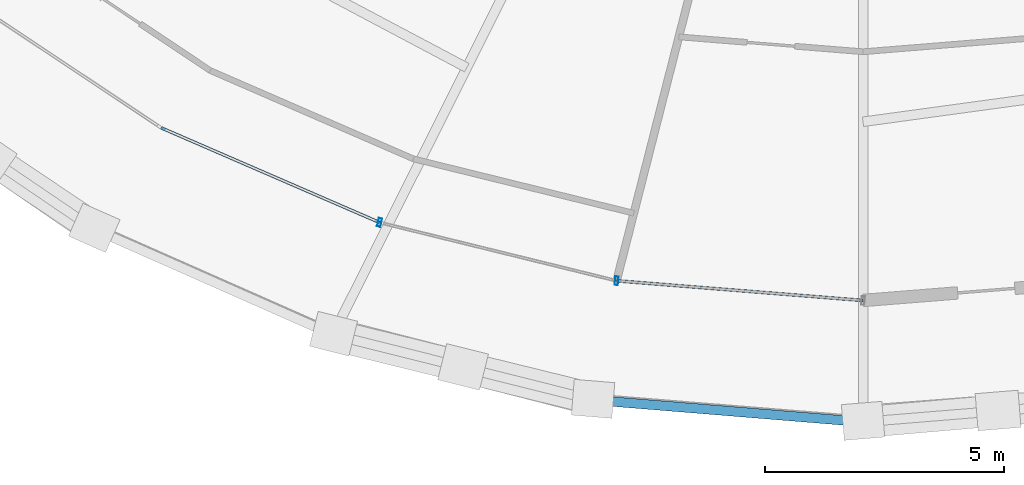
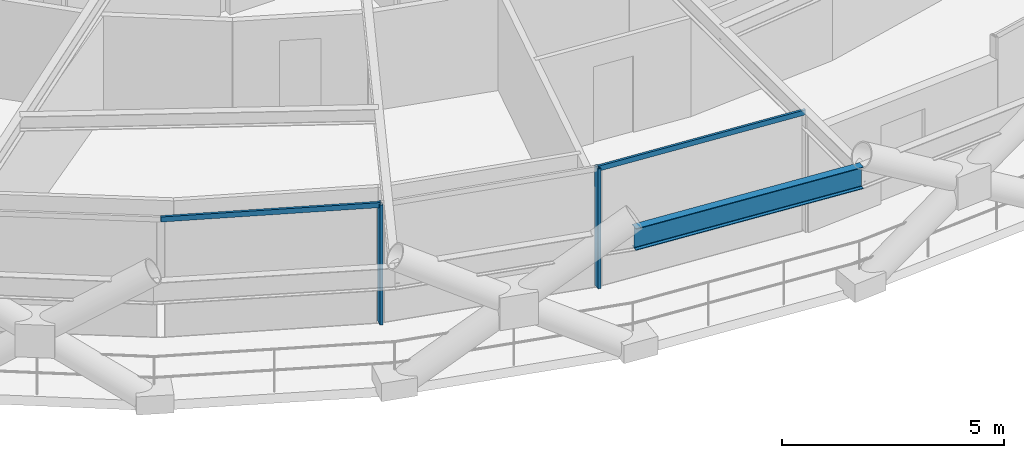
# One storey, part 4 of 21: 4 members, 1 beam, 1 element without a shape of its own.
"""IFC4 building model written with IfcOpenShell, lengths in metres."""

from ifc_helpers import new_model, si_unit, direction, frame, origin, origin_2d, place, context, subcontext, project, spatial, hollow_rectangle, i_section, extrude, material, layer, layer_set, material_profile, profile_set, type_object, element, aggregate, save


model = new_model("IFC4")

# Units and contexts
model_context = context("Model", 3, precision=1e-05, world=origin(), true_north=direction((0.0, 1.0)))
body_context = subcontext(model_context, "Body", "Model", "MODEL_VIEW")
ifc_project = project(units=[si_unit("LENGTHUNIT", "METRE"), si_unit("AREAUNIT", "SQUARE_METRE"), si_unit("VOLUMEUNIT", "CUBIC_METRE"), si_unit("PLANEANGLEUNIT", "RADIAN"), si_unit("MASSUNIT", "GRAM", prefix="KILO")], contexts=[model_context])

# Site, building, storey
site_placement = place(None, origin())
site = spatial("IfcSite", under=ifc_project, at=site_placement, CompositionType="ELEMENT")
building_placement = place(site_placement, origin())
building = spatial("IfcBuilding", under=site, at=building_placement, Name="Veldorina Hangang Commons", CompositionType="ELEMENT")
storey_placement = place(building_placement, frame((0.0, 0.0, 73.60009765625)))
storey = spatial("IfcBuildingStorey", under=building, at=storey_placement, Name="L18", CompositionType="ELEMENT", Elevation=73.60009765625)

# Beam
ifc_material_1 = material(Name="Steel SM420-TMC", Category="steel")
ifc_material_profile_1 = material_profile(ifc_material_1, i_section(OverallWidth=0.199951171875, OverallDepth=0.60009765625, WebThickness=0.010986328125, FlangeThickness=0.01708984375, FilletRadius=0.01806640625, at=origin_2d()), Name="H-600x200x11x17")
ifc_profile_set_1 = profile_set([ifc_material_profile_1], Name="Steel SM420-TMC")
beam_type = type_object("IfcBeamType", Name="BM-RB600", PredefinedType="BEAM", material=ifc_profile_set_1)
beam_placement = place(storey_placement, frame((26.34521484375, 0.474609375, 3.039794921875), z_axis=(0.996697777509, -0.081200617657, 0.0), x_axis=(0.081200617657, 0.996697777509, 0.0)))
element("IfcBeam", 1, at=beam_placement, inside=storey, type_object=beam_type, Name="L18 perimeter hoop ring beam 23", PredefinedType="BEAM", context=body_context, shape_type="SweptSolid", body=[
    extrude(i_section(OverallWidth=0.199951171875, OverallDepth=0.60009765625, WebThickness=0.010986328125, FlangeThickness=0.01708984375, FilletRadius=0.01806640625, at=origin_2d()), origin(), (0.0, 0.0, 1.0), 5.673583984375),
])

# Curtain wall, members
ifc_material_2 = material(Name="Glass Low-E Triple IGU", Category="glass")
ifc_layer = layer(ifc_material_2, 0.179931640625)
ifc_layer_set = layer_set([ifc_layer], Name="Glass Low-E Triple IGU")
curtain_wall_type = type_object("IfcCurtainWallType", Name="CW-SYS-Z1", PredefinedType="NOTDEFINED", material=ifc_layer_set)
curtain_wall_placement = place(storey_placement, origin())
curtain_wall = element("IfcCurtainWall", 2, at=curtain_wall_placement, inside=storey, type_object=curtain_wall_type, Name="L18 unitised curtain wall CW-L18-R1", PredefinedType="NOTDEFINED")
ifc_material_3 = material(Name="Aluminium Anodized AA6063-T6", Category="aluminium")
ifc_material_profile_2 = material_profile(ifc_material_3, hollow_rectangle(XDim=0.070068359375, YDim=0.179931640625, WallThickness=0.00390625, at=origin_2d()), Name="ALU-RHS-180x70x4")
ifc_profile_set_2 = profile_set([ifc_material_profile_2], Name="Aluminium Anodized AA6063-T6")
member_type_1 = type_object("IfcMemberType", Name="CW-MUL-180", PredefinedType="MULLION", material=ifc_profile_set_2)
member_1_placement = place(storey_placement, frame((21.880859375, 4.189697265625, 0.0), z_axis=(0.0, 0.0, 1.0), x_axis=(0.971050956862, -0.238872432853, 0.0)))
member_1 = element("IfcMember", 3, at=member_1_placement, type_object=member_type_1, Name="CW-L18-R1 vertical mullion 2", PredefinedType="MULLION", context=body_context, shape_type="SweptSolid", body=[
    extrude(hollow_rectangle(XDim=0.070068359375, YDim=0.179931640625, WallThickness=0.00390625, at=origin_2d()), origin(), (0.0, 0.0, 1.0), 3.2998046875),
])
member_2_placement = place(storey_placement, frame((26.84130859375, 2.969482421875, 0.0), z_axis=(0.0, 0.0, 1.0), x_axis=(0.996826293951, -0.079607409749, 0.0)))
member_2 = element("IfcMember", 4, at=member_2_placement, type_object=member_type_1, Name="CW-L18-R1 vertical mullion 3", PredefinedType="MULLION", context=body_context, shape_type="SweptSolid", body=[
    extrude(hollow_rectangle(XDim=0.070068359375, YDim=0.179931640625, WallThickness=0.00390625, at=origin_2d()), origin(), (0.0, 0.0, 1.0), 3.2998046875),
])
ifc_material_profile_3 = material_profile(ifc_material_3, hollow_rectangle(XDim=0.06005859375, YDim=0.139892578125, WallThickness=0.00341796875, at=origin_2d()), Name="ALU-RHS-140x60x3.5")
ifc_profile_set_3 = profile_set([ifc_material_profile_3], Name="Aluminium Anodized AA6063-T6")
member_type_2 = type_object("IfcMemberType", Name="CW-TRN-140", PredefinedType="USERDEFINED", material=ifc_profile_set_3)
member_3_placement = place(storey_placement, frame((17.309326171875, 6.17138671875, 3.260009765625), z_axis=(0.917504968831, -0.397724316796, 0.0), x_axis=(0.397724316796, 0.917504968831, 0.0)))
member_3 = element("IfcMember", 5, at=member_3_placement, type_object=member_type_2, Name="CW-L18-R1 facet 2 transom 1", ObjectType="TRANSOM", PredefinedType="USERDEFINED", context=body_context, shape_type="SweptSolid", body=[
    extrude(hollow_rectangle(XDim=0.06005859375, YDim=0.139892578125, WallThickness=0.00341796875, at=origin_2d()), origin(), (0.0, 0.0, 1.0), 4.982666015625),
])
member_4_placement = place(storey_placement, frame((26.84130859375, 2.969482421875, 3.260009765625), z_axis=(0.996828016054, -0.079585843023, 0.0), x_axis=(0.079585843023, 0.996828016054, 0.0)))
member_4 = element("IfcMember", 6, at=member_4_placement, type_object=member_type_2, Name="CW-L18-R1 facet 4 transom 1", ObjectType="TRANSOM", PredefinedType="USERDEFINED", context=body_context, shape_type="SweptSolid", body=[
    extrude(hollow_rectangle(XDim=0.06005859375, YDim=0.139892578125, WallThickness=0.00341796875, at=origin_2d()), origin(), (0.0, 0.0, 1.0), 5.175048828125),
])
aggregate(curtain_wall, [member_1, member_2, member_3, member_4])

save(model, "model.ifc")
